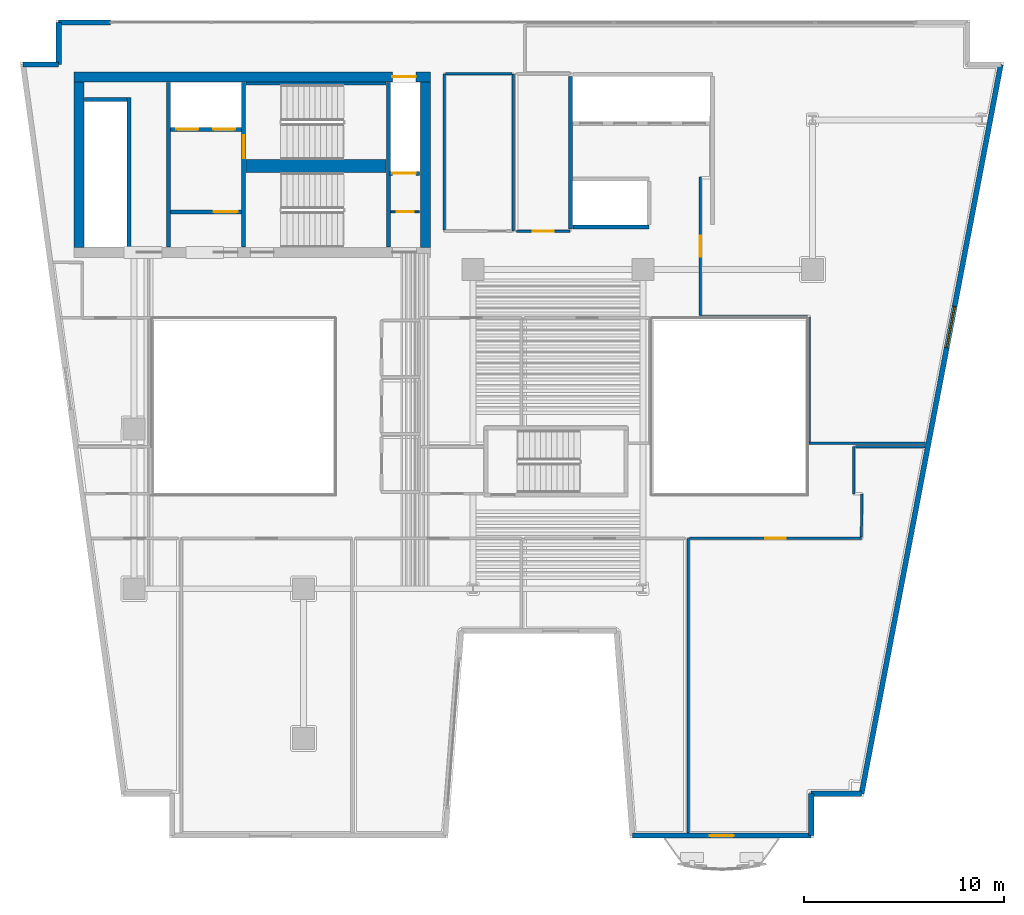
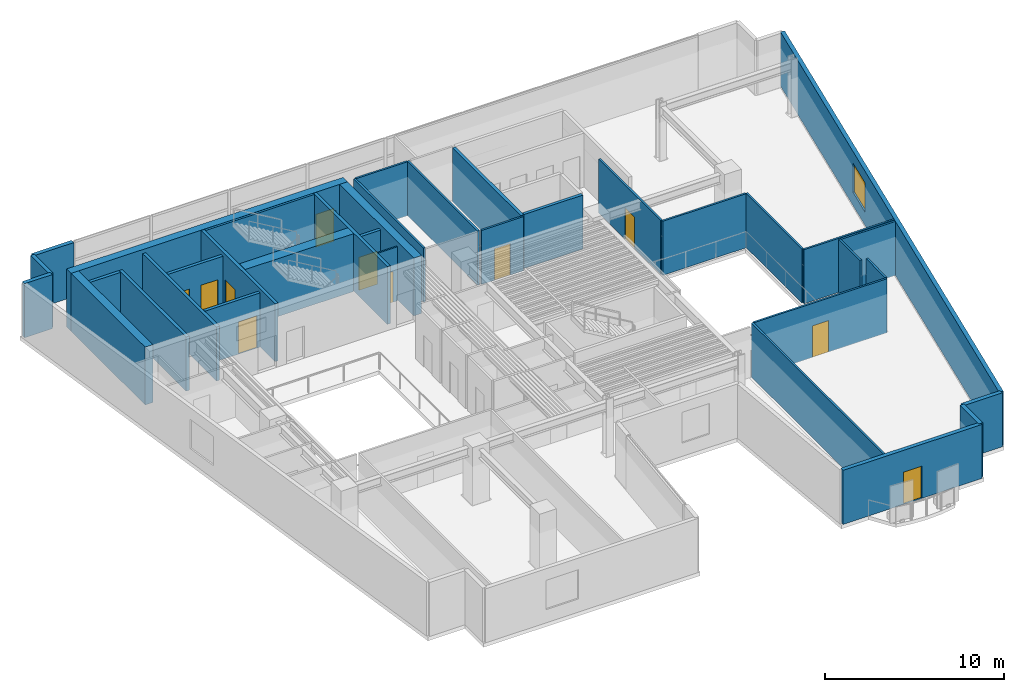
# One storey, part 7 of 12: 36 walls, 11 doors, 1 window, 12 openings.
"""IFC4 building model written with IfcOpenShell, lengths in metres."""

from ifc_helpers import new_model, si_unit, direction, frame, frame_2d, origin, place, context, subcontext, project, spatial, rectangle, extrude, material, layer, layer_set, type_object, element, fill, save


model = new_model("IFC4")

# Units and contexts
model_context = context("Model", 3, precision=1e-05, world=origin(), true_north=direction((0.0, 1.0)))
body_context = subcontext(model_context, "Body", "Model", "MODEL_VIEW")
ifc_project = project(units=[si_unit("LENGTHUNIT", "METRE"), si_unit("AREAUNIT", "SQUARE_METRE"), si_unit("VOLUMEUNIT", "CUBIC_METRE"), si_unit("PLANEANGLEUNIT", "RADIAN"), si_unit("MASSUNIT", "GRAM", prefix="KILO")], contexts=[model_context])

# Site, building, storey
site_placement = place(None, origin())
site = spatial("IfcSite", under=ifc_project, at=site_placement, CompositionType="ELEMENT")
building_placement = place(site_placement, origin())
building = spatial("IfcBuilding", under=site, at=building_placement, Name="Caeloran Harvest Quay", CompositionType="ELEMENT")
storey_placement = place(building_placement, frame((0.0, 0.0, 150.89990234375)))
storey = spatial("IfcBuildingStorey", under=building, at=storey_placement, Name="L35", CompositionType="ELEMENT", Elevation=150.89990234375)

# Walls
ifc_material_1 = material(Name="Precast concrete C50/60", Category="concrete")
ifc_layer_1 = layer(ifc_material_1, 0.260009765625, Name="Precast concrete C50/60")
ifc_layer_set_1 = layer_set([ifc_layer_1], Name="Precast concrete C50/60")
wall_type_1 = type_object("IfcWallType", Name="ENV-WALL-EW-260", PredefinedType="STANDARD", material=ifc_layer_set_1)
wall_1_placement = place(storey_placement, frame((2.939697265625, 41.27001953125, 0.0), z_axis=(0.0, 0.0, 1.0), x_axis=(1.0, 0.0, 0.0)))
element("IfcWall", 1, at=wall_1_placement, inside=storey, type_object=wall_type_1, Name="L35 Exterior Precast Concrete Facade Wall 4", PredefinedType="STANDARD", context=body_context, shape_type="SweptSolid", body=[
    extrude(rectangle(XDim=1.790283203125, YDim=0.260009765625, at=frame_2d((0.89501953125, 0.0))), origin(), (0.0, 0.0, 1.0), 3.690185546875),
])
wall_2_placement = place(storey_placement, frame((4.72998046875, 41.27001953125, 0.0), z_axis=(0.0, 0.0, 1.0), x_axis=(0.0, 1.0, 0.0)))
element("IfcWall", 2, at=wall_2_placement, inside=storey, type_object=wall_type_1, Name="L35 Exterior Precast Concrete Facade Wall 5", PredefinedType="STANDARD", context=body_context, shape_type="SweptSolid", body=[
    extrude(rectangle(XDim=2.10009765625, YDim=0.260009765625, at=frame_2d((1.050048828125, 0.0))), origin(), (0.0, 0.0, 1.0), 3.690185546875),
])
wall_3_placement = place(storey_placement, frame((4.72998046875, 43.3701171875, 0.0), z_axis=(0.0, 0.0, 1.0), x_axis=(1.0, 0.0, 0.0)))
element("IfcWall", 3, at=wall_3_placement, inside=storey, type_object=wall_type_1, Name="L35 Exterior Facade Corner Pier Wall 6A", PredefinedType="STANDARD", context=body_context, shape_type="SweptSolid", body=[
    extrude(rectangle(XDim=2.60009765625, YDim=0.260009765625, at=frame_2d((1.300048828125, 0.0))), origin(), (0.0, 0.0, 1.0), 3.690185546875),
])

# Wall, opening, window
wall_4_placement = place(storey_placement, frame((51.94189453125, 41.27001953125, 0.0), z_axis=(0.0, 0.0, 1.0), x_axis=(-0.187592192405, -0.982247000173, 0.0)))
wall_4 = element("IfcWall", 4, at=wall_4_placement, inside=storey, type_object=wall_type_1, Name="L35 Exterior Precast Concrete Facade Wall 9", PredefinedType="STANDARD", context=body_context, shape_type="SweptSolid", body=[
    extrude(rectangle(XDim=37.200439453125, YDim=0.260009765625, at=frame_2d((18.60009765625, 0.0))), origin(), (0.0, 0.0, 1.0), 3.690185546875),
])
opening_1_placement = place(wall_4_placement, frame((12.342041015625, 0.0, 0.89990234375)))
opening_1 = element("IfcOpeningElement", 5, at=opening_1_placement, cuts=wall_4, Name="Opening W-06", PredefinedType="OPENING", context=body_context, shape_type="SweptSolid", body=[
    extrude(rectangle(XDim=2.10009765625, YDim=2.0, at=frame_2d((1.050048828125, 1.0))), frame((0.0, 0.14013671875, 0.0), z_axis=(0.0, -1.0, 0.0), x_axis=(1.0, 0.0, 0.0)), (0.0, 0.0, 1.0), 0.280029296875),
])
ifc_material_2 = material(Name="Aluminium-Framed Low-E Laminated Glass", Category="aluminium")
window_type = type_object("IfcWindowType", Name="WIN-W-06", PartitioningType="DOUBLE_PANEL_VERTICAL", PredefinedType="WINDOW", material=ifc_material_2)
window_placement = place(opening_1_placement, origin())
window = element("IfcWindow", 6, at=window_placement, inside=storey, type_object=window_type, Name="L35 Facade Punched Window W-06", OverallHeight=2.0, OverallWidth=2.10009765625, PartitioningType="DOUBLE_PANEL_VERTICAL", PredefinedType="WINDOW", context=body_context, shape_type="SweptSolid", body=[
    extrude(rectangle(XDim=2.10009765625, YDim=2.0, at=frame_2d((1.050048828125, 1.0))), frame((0.0, 0.030029296875, 0.0), z_axis=(0.0, -1.0, 0.0), x_axis=(1.0, 0.0, 0.0)), (0.0, 0.0, 1.0), 0.06005859375),
])
fill(opening_1, window)

# Walls
wall_5_placement = place(storey_placement, frame((44.96337890625, 4.72998046875, 0.0), z_axis=(0.0, 0.0, 1.0), x_axis=(-1.0, 0.0, 0.0)))
element("IfcWall", 7, at=wall_5_placement, inside=storey, type_object=wall_type_1, Name="L35 Exterior Precast Concrete Facade Wall 10", PredefinedType="STANDARD", context=body_context, shape_type="SweptSolid", body=[
    extrude(rectangle(XDim=2.5234375, YDim=0.260009765625, at=frame_2d((1.26171875, 0.0))), origin(), (0.0, 0.0, 1.0), 3.690185546875),
])
wall_6_placement = place(storey_placement, frame((42.43994140625, 4.72998046875, 0.0), z_axis=(0.0, 0.0, 1.0), x_axis=(0.0, -1.0, 0.0)))
element("IfcWall", 8, at=wall_6_placement, inside=storey, type_object=wall_type_1, Name="L35 Exterior Precast Concrete Facade Wall 11", PredefinedType="STANDARD", context=body_context, shape_type="SweptSolid", body=[
    extrude(rectangle(XDim=2.10009765625, YDim=0.260009765625, at=frame_2d((1.050048828125, 0.0))), origin(), (0.0, 0.0, 1.0), 3.690185546875),
])

# Wall, opening, door
wall_7_placement = place(storey_placement, frame((42.43994140625, 2.6298828125, 0.0), z_axis=(0.0, 0.0, 1.0), x_axis=(-1.0, 0.0, 0.0)))
wall_7 = element("IfcWall", 9, at=wall_7_placement, inside=storey, type_object=wall_type_1, Name="L35 Exterior Precast Concrete Facade Wall 12", PredefinedType="STANDARD", context=body_context, shape_type="SweptSolid", body=[
    extrude(rectangle(XDim=8.96484375, YDim=0.260009765625, at=frame_2d((4.482421875, 0.0))), origin(), (0.0, 0.0, 1.0), 3.690185546875),
])
opening_2_placement = place(wall_7_placement, frame((3.882080078125, 0.0, 0.0)))
opening_2 = element("IfcOpeningElement", 10, at=opening_2_placement, cuts=wall_7, Name="Opening BD-01", PredefinedType="OPENING", context=body_context, shape_type="SweptSolid", body=[
    extrude(rectangle(XDim=1.199951171875, YDim=2.199951171875, at=frame_2d((0.60009765625, 1.10009765625))), frame((0.0, 0.14013671875, 0.0), z_axis=(0.0, -1.0, 0.0), x_axis=(1.0, 0.0, 0.0)), (0.0, 0.0, 1.0), 0.280029296875),
])
ifc_material_3 = material(Name="Thermally Broken Powder-Coated Aluminium and Safety Glass", Category="aluminium")
door_type_1 = type_object("IfcDoorType", Name="EXTDOOR-BD-01", OperationType="NOTDEFINED", PredefinedType="DOOR", material=ifc_material_3)
door_1_placement = place(opening_2_placement, origin())
door_1 = element("IfcDoor", 11, at=door_1_placement, inside=storey, type_object=door_type_1, Name="L35 Planted Balcony Glazed Access Door", OperationType="SINGLE_SWING_RIGHT", OverallHeight=2.199951171875, OverallWidth=1.199951171875, PredefinedType="DOOR", context=body_context, shape_type="SweptSolid", body=[
    extrude(rectangle(XDim=1.199951171875, YDim=2.199951171875, at=frame_2d((0.60009765625, 1.10009765625))), frame((0.0, 0.02490234375, 0.0), z_axis=(0.0, -1.0, 0.0), x_axis=(1.0, 0.0, 0.0)), (0.0, 0.0, 1.0), 0.050048828125),
])
fill(opening_2, door_1)

ifc_material_4 = material(Name="Fire-Resisting Gypsum Core Riser Partition", Category="gypsum")
ifc_layer_2 = layer(ifc_material_4, 0.10009765625, Name="Fire-Resisting Gypsum Core Riser Partition")
ifc_layer_set_2 = layer_set([ifc_layer_2], Name="Fire-Resisting Gypsum Core Riser Partition")
wall_type_2 = type_object("IfcWallType", Name="INT-WALL-PW-100", PredefinedType="PARTITIONING", material=ifc_layer_set_2)
wall_8_placement = place(storey_placement, frame((21.3798828125, 33.889892578125, 0.0), z_axis=(0.0, 0.0, 1.0), x_axis=(1.0, 0.0, 0.0)))
wall_8 = element("IfcWall", 12, at=wall_8_placement, inside=storey, type_object=wall_type_2, Name="L35 Cleaner Store Partition Wall", PredefinedType="PARTITIONING", context=body_context, shape_type="SweptSolid", body=[
    extrude(rectangle(XDim=1.420166015625, YDim=0.10009765625, at=frame_2d((0.7099609375, 0.0))), origin(), (0.0, 0.0, 1.0), 3.690185546875),
])
opening_3_placement = place(wall_8_placement, frame((0.280029296875, 0.0, 0.0)))
opening_3 = element("IfcOpeningElement", 13, at=opening_3_placement, cuts=wall_8, Name="Opening SV-01", PredefinedType="OPENING", context=body_context, shape_type="SweptSolid", body=[
    extrude(rectangle(XDim=0.85009765625, YDim=2.10009765625, at=frame_2d((0.425048828125, 1.050048828125))), frame((0.0, 0.06005859375, 0.0), z_axis=(0.0, -1.0, 0.0), x_axis=(1.0, 0.0, 0.0)), (0.0, 0.0, 1.0), 0.1201171875),
])
ifc_material_5 = material(Name="Galvanized Painted Steel", Category="steel")
door_type_2 = type_object("IfcDoorType", Name="INTDOOR-SV-01", OperationType="NOTDEFINED", PredefinedType="DOOR", material=ifc_material_5)
door_2_placement = place(opening_3_placement, origin())
door_2 = element("IfcDoor", 14, at=door_2_placement, inside=storey, type_object=door_type_2, Name="L35 Cleaner Supply Store Access Door", OperationType="SINGLE_SWING_RIGHT", OverallHeight=2.10009765625, OverallWidth=0.85009765625, PredefinedType="DOOR", context=body_context, shape_type="SweptSolid", body=[
    extrude(rectangle(XDim=0.85009765625, YDim=2.10009765625, at=frame_2d((0.425048828125, 1.050048828125))), frame((0.0, 0.02490234375, 0.0), z_axis=(0.0, -1.0, 0.0), x_axis=(1.0, 0.0, 0.0)), (0.0, 0.0, 1.0), 0.050048828125),
])
fill(opening_3, door_2)

# Walls
ifc_material_6 = material(Name="Twin-Stud Mineral-Wool Acoustic Gypsum Partition", Category="gypsum")
ifc_layer_3 = layer(ifc_material_6, 0.125, Name="Twin-Stud Mineral-Wool Acoustic Gypsum Partition")
ifc_layer_set_3 = layer_set([ifc_layer_3], Name="Twin-Stud Mineral-Wool Acoustic Gypsum Partition")
wall_type_3 = type_object("IfcWallType", Name="INT-WALL-PW-125", PredefinedType="PARTITIONING", material=ifc_layer_set_3)
wall_9_placement = place(storey_placement, frame((27.5, 40.800048828125, 0.0), z_axis=(0.0, 0.0, 1.0), x_axis=(0.0, -1.0, 0.0)))
element("IfcWall", 15, at=wall_9_placement, inside=storey, type_object=wall_type_3, Name="L35 Bioinformatics Briefing Lounge Partition Wall", PredefinedType="PARTITIONING", context=body_context, shape_type="SweptSolid", body=[
    extrude(rectangle(XDim=7.880126953125, YDim=0.125, at=frame_2d((3.93994140625, 0.0))), origin(), (0.0, 0.0, 1.0), 3.690185546875),
])
wall_10_placement = place(storey_placement, frame((24.050048828125, 32.987548828125, 0.0), z_axis=(0.0, 0.0, 1.0), x_axis=(0.0, 1.0, 0.0)))
element("IfcWall", 16, at=wall_10_placement, inside=storey, type_object=wall_type_3, Name="L35 Bioinformatics Briefing Lounge Partition Wall", PredefinedType="PARTITIONING", context=body_context, shape_type="SweptSolid", body=[
    extrude(rectangle(XDim=7.8125, YDim=0.125, at=frame_2d((3.90625, 0.0))), origin(), (0.0, 0.0, 1.0), 3.690185546875),
])
wall_11_placement = place(storey_placement, frame((24.117431640625, 40.800048828125, 0.0), z_axis=(0.0, 0.0, 1.0), x_axis=(1.0, 0.0, 0.0)))
element("IfcWall", 17, at=wall_11_placement, inside=storey, type_object=wall_type_3, Name="L35 Bioinformatics Briefing Lounge Partition Wall", PredefinedType="PARTITIONING", context=body_context, shape_type="SweptSolid", body=[
    extrude(rectangle(XDim=3.315185546875, YDim=0.125, at=frame_2d((1.65771484375, 0.0))), origin(), (0.0, 0.0, 1.0), 3.690185546875),
])

# Wall, opening, door
wall_12_placement = place(storey_placement, frame((30.35009765625, 32.919921875, 0.0), z_axis=(0.0, 0.0, 1.0), x_axis=(-1.0, 0.0, 0.0)))
wall_12 = element("IfcWall", 18, at=wall_12_placement, inside=storey, type_object=wall_type_3, Name="L35 Seed Imaging Laboratory Partition Wall", PredefinedType="PARTITIONING", context=body_context, shape_type="SweptSolid", body=[
    extrude(rectangle(XDim=2.690185546875, YDim=0.125, at=frame_2d((1.34521484375, 0.0))), origin(), (0.0, 0.0, 1.0), 3.690185546875),
])
opening_4_placement = place(wall_12_placement, frame((0.820068359375, 0.0, 0.0)))
opening_4 = element("IfcOpeningElement", 19, at=opening_4_placement, cuts=wall_12, Name="Opening ID-03", PredefinedType="OPENING", context=body_context, shape_type="SweptSolid", body=[
    extrude(rectangle(XDim=1.050048828125, YDim=2.14990234375, at=frame_2d((0.52490234375, 1.074951171875))), frame((0.0, 0.072509765625, 0.0), z_axis=(0.0, -1.0, 0.0), x_axis=(1.0, 0.0, 0.0)), (0.0, 0.0, 1.0), 0.14501953125),
])
ifc_material_7 = material(Name="FSC Solid-Core Oak Timber Leaf", Category="wood")
door_type_3 = type_object("IfcDoorType", Name="INTDOOR-ID-03", OperationType="NOTDEFINED", PredefinedType="DOOR", material=ifc_material_7)
door_3_placement = place(opening_4_placement, origin())
door_3 = element("IfcDoor", 20, at=door_3_placement, inside=storey, type_object=door_type_3, Name="L35 Seed Imaging Laboratory Access Door", OperationType="SINGLE_SWING_LEFT", OverallHeight=2.14990234375, OverallWidth=1.050048828125, PredefinedType="DOOR", context=body_context, shape_type="SweptSolid", body=[
    extrude(rectangle(XDim=1.050048828125, YDim=2.14990234375, at=frame_2d((0.52490234375, 1.074951171875))), frame((0.0, 0.02490234375, 0.0), z_axis=(0.0, -1.0, 0.0), x_axis=(1.0, 0.0, 0.0)), (0.0, 0.0, 1.0), 0.050048828125),
])
fill(opening_4, door_3)

# Walls
wall_13_placement = place(storey_placement, frame((44.580078125, 19.75, 0.0), z_axis=(0.0, 0.0, 1.0), x_axis=(0.0, 1.0, 0.0)))
element("IfcWall", 21, at=wall_13_placement, inside=storey, type_object=wall_type_3, Name="Seed IP Legal Counsel Office Partition Wall", PredefinedType="PARTITIONING", context=body_context, shape_type="SweptSolid", body=[
    extrude(rectangle(XDim=2.3701171875, YDim=0.125, at=frame_2d((1.18505859375, 0.0))), origin(), (0.0, 0.0, 1.0), 3.690185546875),
])
wall_14_placement = place(storey_placement, frame((44.6474609375, 22.1201171875, 0.0), z_axis=(0.0, 0.0, 1.0), x_axis=(1.0, 0.0, 0.0)))
element("IfcWall", 22, at=wall_14_placement, inside=storey, type_object=wall_type_3, Name="Seed IP Legal Counsel Office Partition Wall", PredefinedType="PARTITIONING", context=body_context, shape_type="SweptSolid", body=[
    extrude(rectangle(XDim=3.499755859375, YDim=0.125, at=frame_2d((1.75, 0.0))), origin(), (0.0, 0.0, 1.0), 3.690185546875),
])
wall_15_placement = place(storey_placement, frame((36.280029296875, 2.764892578125, 0.0), z_axis=(0.0, 0.0, 1.0), x_axis=(0.0, 1.0, 0.0)))
element("IfcWall", 23, at=wall_15_placement, inside=storey, type_object=wall_type_3, Name="Seed IP Legal Counsel Office Partition Wall", PredefinedType="PARTITIONING", context=body_context, shape_type="SweptSolid", body=[
    extrude(rectangle(XDim=14.755126953125, YDim=0.125, at=frame_2d((7.37744140625, 0.0))), origin(), (0.0, 0.0, 1.0), 3.690185546875),
])

# Wall, opening, door
wall_16_placement = place(storey_placement, frame((36.347412109375, 17.52001953125, 0.0), z_axis=(0.0, 0.0, 1.0), x_axis=(1.0, 0.0, 0.0)))
wall_16 = element("IfcWall", 24, at=wall_16_placement, inside=storey, type_object=wall_type_3, Name="Seed IP Legal Counsel Office Partition Wall", PredefinedType="PARTITIONING", context=body_context, shape_type="SweptSolid", body=[
    extrude(rectangle(XDim=8.6025390625, YDim=0.125, at=frame_2d((4.30126953125, 0.0))), origin(), (0.0, 0.0, 1.0), 3.690185546875),
])
opening_5_placement = place(wall_16_placement, frame((3.7763671875, 0.0, 0.0)))
opening_5 = element("IfcOpeningElement", 25, at=opening_5_placement, cuts=wall_16, Name="Opening ID-03", PredefinedType="OPENING", context=body_context, shape_type="SweptSolid", body=[
    extrude(rectangle(XDim=1.050048828125, YDim=2.14990234375, at=frame_2d((0.52490234375, 1.074951171875))), frame((0.0, 0.072509765625, 0.0), z_axis=(0.0, -1.0, 0.0), x_axis=(1.0, 0.0, 0.0)), (0.0, 0.0, 1.0), 0.14501953125),
])
door_4_placement = place(opening_5_placement, origin())
door_4 = element("IfcDoor", 26, at=door_4_placement, inside=storey, type_object=door_type_3, Name="Seed IP Legal Counsel Office Access Door", OperationType="SINGLE_SWING_LEFT", OverallHeight=2.14990234375, OverallWidth=1.050048828125, PredefinedType="DOOR", context=body_context, shape_type="SweptSolid", body=[
    extrude(rectangle(XDim=1.050048828125, YDim=2.14990234375, at=frame_2d((0.52490234375, 1.074951171875))), frame((0.0, 0.02490234375, 0.0), z_axis=(0.0, -1.0, 0.0), x_axis=(1.0, 0.0, 0.0)), (0.0, 0.0, 1.0), 0.050048828125),
])
fill(opening_5, door_4)

# Walls
wall_17_placement = place(storey_placement, frame((44.950927734375, 17.58740234375, 0.0), z_axis=(0.0, 0.0, 1.0), x_axis=(0.01343297167, 0.999909773566, 0.0)))
element("IfcWall", 27, at=wall_17_placement, inside=storey, type_object=wall_type_3, Name="Seed IP Legal Counsel Office Partition Wall", PredefinedType="PARTITIONING", context=body_context, shape_type="SweptSolid", body=[
    extrude(rectangle(XDim=2.162841796875, YDim=0.125, at=frame_2d((1.08154296875, 0.0))), origin(), (0.0, 0.0, 1.0), 3.690185546875),
])
wall_18_placement = place(storey_placement, frame((48.177734375, 22.280029296875, 0.0), z_axis=(0.0, 0.0, 1.0), x_axis=(-1.0, 0.0, 0.0)))
element("IfcWall", 28, at=wall_18_placement, inside=storey, type_object=wall_type_3, Name="Seed IP Legal Counsel Office 11 Partition Wall", PredefinedType="PARTITIONING", context=body_context, shape_type="SweptSolid", body=[
    extrude(rectangle(XDim=5.84765625, YDim=0.125, at=frame_2d((2.923828125, 0.0))), origin(), (0.0, 0.0, 1.0), 3.690185546875),
])
wall_19_placement = place(storey_placement, frame((42.330078125, 22.347412109375, 0.0), z_axis=(0.0, 0.0, 1.0), x_axis=(0.0, 1.0, 0.0)))
element("IfcWall", 29, at=wall_19_placement, inside=storey, type_object=wall_type_3, Name="Seed IP Legal Counsel Office 11 Partition Wall", PredefinedType="PARTITIONING", context=body_context, shape_type="SweptSolid", body=[
    extrude(rectangle(XDim=6.282470703125, YDim=0.125, at=frame_2d((3.14111328125, 0.0))), origin(), (0.0, 0.0, 1.0), 3.690185546875),
])
wall_20_placement = place(storey_placement, frame((42.262451171875, 28.6298828125, 0.0), z_axis=(0.0, 0.0, 1.0), x_axis=(-1.0, 0.0, 0.0)))
element("IfcWall", 30, at=wall_20_placement, inside=storey, type_object=wall_type_3, Name="Seed IP Legal Counsel Office 11 Partition Wall", PredefinedType="PARTITIONING", context=body_context, shape_type="SweptSolid", body=[
    extrude(rectangle(XDim=5.382568359375, YDim=0.125, at=frame_2d((2.69140625, 0.0))), origin(), (0.0, 0.0, 1.0), 3.690185546875),
])

# Wall, opening, door
wall_21_placement = place(storey_placement, frame((36.8798828125, 28.697509765625, 0.0), z_axis=(0.0, 0.0, 1.0), x_axis=(0.0, 1.0, 0.0)))
wall_21 = element("IfcWall", 31, at=wall_21_placement, inside=storey, type_object=wall_type_3, Name="Seed IP Legal Counsel Office 11 Partition Wall", PredefinedType="PARTITIONING", context=body_context, shape_type="SweptSolid", body=[
    extrude(rectangle(XDim=6.922607421875, YDim=0.125, at=frame_2d((3.46142578125, 0.0))), origin(), (0.0, 0.0, 1.0), 3.690185546875),
])
opening_6_placement = place(wall_21_placement, frame((2.936279296875, 0.0, 0.0)))
opening_6 = element("IfcOpeningElement", 32, at=opening_6_placement, cuts=wall_21, Name="Opening ID-03", PredefinedType="OPENING", context=body_context, shape_type="SweptSolid", body=[
    extrude(rectangle(XDim=1.050048828125, YDim=2.14990234375, at=frame_2d((0.52490234375, 1.074951171875))), frame((0.0, 0.072509765625, 0.0), z_axis=(0.0, -1.0, 0.0), x_axis=(1.0, 0.0, 0.0)), (0.0, 0.0, 1.0), 0.14501953125),
])
door_5_placement = place(opening_6_placement, origin())
door_5 = element("IfcDoor", 33, at=door_5_placement, inside=storey, type_object=door_type_3, Name="Seed IP Legal Counsel Office 11 Access Door", OperationType="SINGLE_SWING_LEFT", OverallHeight=2.14990234375, OverallWidth=1.050048828125, PredefinedType="DOOR", context=body_context, shape_type="SweptSolid", body=[
    extrude(rectangle(XDim=1.050048828125, YDim=2.14990234375, at=frame_2d((0.52490234375, 1.074951171875))), frame((0.0, 0.02490234375, 0.0), z_axis=(0.0, -1.0, 0.0), x_axis=(1.0, 0.0, 0.0)), (0.0, 0.0, 1.0), 0.050048828125),
])
fill(opening_6, door_5)

# Walls
ifc_material_8 = material(Name="Concrete C50/60", Category="concrete")
ifc_layer_4 = layer(ifc_material_8, 0.199951171875, Name="Concrete C50/60")
ifc_layer_set_4 = layer_set([ifc_layer_4], Name="Concrete C50/60")
wall_type_4 = type_object("IfcWallType", Name="INT-WALL-SW-200", PredefinedType="PARTITIONING", material=ifc_layer_set_4)
wall_22_placement = place(storey_placement, frame((8.260009765625, 32.1201171875, 0.0), z_axis=(0.0, 0.0, 1.0), x_axis=(0.0, 1.0, 0.0)))
element("IfcWall", 34, at=wall_22_placement, inside=storey, type_object=wall_type_4, Name="L35 Bank 3 Lift Shaft Wall", PredefinedType="PARTITIONING", context=body_context, shape_type="SweptSolid", body=[
    extrude(rectangle(XDim=7.5, YDim=0.199951171875, at=frame_2d((3.75, 0.0))), origin(), (0.0, 0.0, 1.0), 3.690185546875),
])
wall_23_placement = place(storey_placement, frame((6.02001953125, 39.52001953125, 0.0), z_axis=(0.0, 0.0, 1.0), x_axis=(1.0, 0.0, 0.0)))
element("IfcWall", 35, at=wall_23_placement, inside=storey, type_object=wall_type_4, Name="L35 Bank 3 Lift Shaft North End Wall", PredefinedType="PARTITIONING", context=body_context, shape_type="SweptSolid", body=[
    extrude(rectangle(XDim=2.119873046875, YDim=0.199951171875, at=frame_2d((1.06005859375, 0.0))), origin(), (0.0, 0.0, 1.0), 3.690185546875),
])
wall_24_placement = place(storey_placement, frame((10.219970703125, 32.1201171875, 0.0), z_axis=(0.0, 0.0, 1.0), x_axis=(0.0, 1.0, 0.0)))
element("IfcWall", 36, at=wall_24_placement, inside=storey, type_object=wall_type_4, Name="L35 Core Lobby Compartment Wall", PredefinedType="PARTITIONING", context=body_context, shape_type="SweptSolid", body=[
    extrude(rectangle(XDim=8.259765625, YDim=0.199951171875, at=frame_2d((4.1298828125, 0.0))), origin(), (0.0, 0.0, 1.0), 3.690185546875),
])

# Wall, openings, doors
wall_25_placement = place(storey_placement, frame((10.340087890625, 38.02001953125, 0.0), z_axis=(0.0, 0.0, 1.0), x_axis=(1.0, 0.0, 0.0)))
wall_25 = element("IfcWall", 37, at=wall_25_placement, inside=storey, type_object=wall_type_4, Name="L35 Firefighting Lift Shaft Wall", PredefinedType="PARTITIONING", context=body_context, shape_type="SweptSolid", body=[
    extrude(rectangle(XDim=3.539794921875, YDim=0.199951171875, at=frame_2d((1.77001953125, 0.0))), origin(), (0.0, 0.0, 1.0), 3.690185546875),
])
opening_7_placement = place(wall_25_placement, frame((0.284912109375, 0.0, 0.0)))
opening_7 = element("IfcOpeningElement", 38, at=opening_7_placement, cuts=wall_25, Name="Opening LD-01", PredefinedType="OPENING", context=body_context, shape_type="SweptSolid", body=[
    extrude(rectangle(XDim=1.10009765625, YDim=2.199951171875, at=frame_2d((0.550048828125, 1.10009765625))), frame((0.0, 0.10986328125, 0.0), z_axis=(0.0, -1.0, 0.0), x_axis=(1.0, 0.0, 0.0)), (0.0, 0.0, 1.0), 0.219970703125),
])
opening_8_placement = place(wall_25_placement, frame((2.135009765625, 0.0, 0.0)))
opening_8 = element("IfcOpeningElement", 39, at=opening_8_placement, cuts=wall_25, Name="Opening LD-01", PredefinedType="OPENING", context=body_context, shape_type="SweptSolid", body=[
    extrude(rectangle(XDim=1.10009765625, YDim=2.199951171875, at=frame_2d((0.550048828125, 1.10009765625))), frame((0.0, 0.10986328125, 0.0), z_axis=(0.0, -1.0, 0.0), x_axis=(1.0, 0.0, 0.0)), (0.0, 0.0, 1.0), 0.219970703125),
])
ifc_material_9 = material(Name="Stainless Steel Grade 316", Category="steel")
door_type_4 = type_object("IfcDoorType", Name="INTDOOR-LD-01", OperationType="NOTDEFINED", PredefinedType="DOOR", material=ifc_material_9)
door_6_placement = place(opening_7_placement, origin())
door_6 = element("IfcDoor", 40, at=door_6_placement, inside=storey, type_object=door_type_4, Name="Lift FF-1 Sliding Landing Door (L35)", OperationType="DOUBLE_DOOR_SLIDING", OverallHeight=2.199951171875, OverallWidth=1.10009765625, PredefinedType="DOOR", context=body_context, shape_type="SweptSolid", body=[
    extrude(rectangle(XDim=1.10009765625, YDim=2.199951171875, at=frame_2d((0.550048828125, 1.10009765625))), frame((0.0, 0.02490234375, 0.0), z_axis=(0.0, -1.0, 0.0), x_axis=(1.0, 0.0, 0.0)), (0.0, 0.0, 1.0), 0.050048828125),
])
fill(opening_7, door_6)
door_7_placement = place(opening_8_placement, origin())
door_7 = element("IfcDoor", 41, at=door_7_placement, inside=storey, type_object=door_type_4, Name="Lift FF-2 Sliding Landing Door (L35)", OperationType="DOUBLE_DOOR_SLIDING", OverallHeight=2.199951171875, OverallWidth=1.10009765625, PredefinedType="DOOR", context=body_context, shape_type="SweptSolid", body=[
    extrude(rectangle(XDim=1.10009765625, YDim=2.199951171875, at=frame_2d((0.550048828125, 1.10009765625))), frame((0.0, 0.02490234375, 0.0), z_axis=(0.0, -1.0, 0.0), x_axis=(1.0, 0.0, 0.0)), (0.0, 0.0, 1.0), 0.050048828125),
])
fill(opening_8, door_7)

# Wall, opening, door
wall_26_placement = place(storey_placement, frame((10.340087890625, 33.8798828125, 0.0), z_axis=(0.0, 0.0, 1.0), x_axis=(1.0, 0.0, 0.0)))
wall_26 = element("IfcWall", 42, at=wall_26_placement, inside=storey, type_object=wall_type_4, Name="L35 Firefighting Lift Lobby Enclosure Wall", PredefinedType="PARTITIONING", context=body_context, shape_type="SweptSolid", body=[
    extrude(rectangle(XDim=3.559814453125, YDim=0.199951171875, at=frame_2d((1.77978515625, 0.0))), origin(), (0.0, 0.0, 1.0), 3.690185546875),
])
opening_9_placement = place(wall_26_placement, frame((2.14990234375, 0.0, 0.0)))
opening_9 = element("IfcOpeningElement", 43, at=opening_9_placement, cuts=wall_26, Name="Opening FD-01", PredefinedType="OPENING", context=body_context, shape_type="SweptSolid", body=[
    extrude(rectangle(XDim=1.199951171875, YDim=2.199951171875, at=frame_2d((0.60009765625, 1.10009765625))), frame((0.0, 0.10986328125, 0.0), z_axis=(0.0, -1.0, 0.0), x_axis=(1.0, 0.0, 0.0)), (0.0, 0.0, 1.0), 0.219970703125),
])
ifc_material_10 = material(Name="Steel", Category="steel")
door_type_5 = type_object("IfcDoorType", Name="INTDOOR-FD-01", OperationType="NOTDEFINED", PredefinedType="DOOR", material=ifc_material_10)
door_8_placement = place(opening_9_placement, origin())
door_8 = element("IfcDoor", 44, at=door_8_placement, inside=storey, type_object=door_type_5, Name="L35 Firefighting Lift Lobby Smoke-Seal Fire Door", OperationType="SINGLE_SWING_LEFT", OverallHeight=2.199951171875, OverallWidth=1.199951171875, PredefinedType="DOOR", context=body_context, shape_type="SweptSolid", body=[
    extrude(rectangle(XDim=1.199951171875, YDim=2.199951171875, at=frame_2d((0.60009765625, 1.10009765625))), frame((0.0, 0.02490234375, 0.0), z_axis=(0.0, -1.0, 0.0), x_axis=(1.0, 0.0, 0.0)), (0.0, 0.0, 1.0), 0.050048828125),
])
fill(opening_9, door_8)

wall_27_placement = place(storey_placement, frame((21.300048828125, 35.820068359375, 0.0), z_axis=(0.0, 0.0, 1.0), x_axis=(1.0, 0.0, 0.0)))
wall_27 = element("IfcWall", 45, at=wall_27_placement, inside=storey, type_object=wall_type_4, Name="L35 Service Lift SV-2 Shaft Wall", PredefinedType="PARTITIONING", context=body_context, shape_type="SweptSolid", body=[
    extrude(rectangle(XDim=1.5, YDim=0.199951171875, at=frame_2d((0.75, 0.0))), origin(), (0.0, 0.0, 1.0), 3.690185546875),
])
opening_10_placement = place(wall_27_placement, frame((0.14501953125, 0.0, 0.0)))
opening_10 = element("IfcOpeningElement", 46, at=opening_10_placement, cuts=wall_27, Name="Opening LD-02", PredefinedType="OPENING", context=body_context, shape_type="SweptSolid", body=[
    extrude(rectangle(XDim=1.179931640625, YDim=2.25, at=frame_2d((0.58984375, 1.125))), frame((0.0, 0.10986328125, 0.0), z_axis=(0.0, -1.0, 0.0), x_axis=(1.0, 0.0, 0.0)), (0.0, 0.0, 1.0), 0.219970703125),
])
door_type_6 = type_object("IfcDoorType", Name="INTDOOR-LD-02", OperationType="NOTDEFINED", PredefinedType="DOOR", material=ifc_material_9)
door_9_placement = place(opening_10_placement, origin())
door_9 = element("IfcDoor", 47, at=door_9_placement, inside=storey, type_object=door_type_6, Name="Lift SV-2 Sliding Landing Door (L35)", OperationType="DOUBLE_DOOR_SLIDING", OverallHeight=2.25, OverallWidth=1.179931640625, PredefinedType="DOOR", context=body_context, shape_type="SweptSolid", body=[
    extrude(rectangle(XDim=1.179931640625, YDim=2.25, at=frame_2d((0.58984375, 1.125))), frame((0.0, 0.02490234375, 0.0), z_axis=(0.0, -1.0, 0.0), x_axis=(1.0, 0.0, 0.0)), (0.0, 0.0, 1.0), 0.050048828125),
])
fill(opening_10, door_9)

# Walls
wall_28_placement = place(storey_placement, frame((30.3798828125, 33.02001953125, 0.0), z_axis=(0.0, 0.0, 1.0), x_axis=(0.0, 1.0, 0.0)))
element("IfcWall", 48, at=wall_28_placement, inside=storey, type_object=wall_type_4, Name="L35 Bank 2 and Shuttle Lift Shaft West Wall", PredefinedType="PARTITIONING", context=body_context, shape_type="SweptSolid", body=[
    extrude(rectangle(XDim=7.639892578125, YDim=0.199951171875, at=frame_2d((3.81982421875, 0.0))), origin(), (0.0, 0.0, 1.0), 3.690185546875),
])
wall_29_placement = place(storey_placement, frame((30.5, 33.1201171875, 0.0), z_axis=(0.0, 0.0, 1.0), x_axis=(1.0, 0.0, 0.0)))
element("IfcWall", 49, at=wall_29_placement, inside=storey, type_object=wall_type_4, Name="L35 Shuttle Lift Shaft South Wall", PredefinedType="PARTITIONING", context=body_context, shape_type="SweptSolid", body=[
    extrude(rectangle(XDim=3.800048828125, YDim=0.199951171875, at=frame_2d((1.89990234375, 0.0))), origin(), (0.0, 0.0, 1.0), 3.690185546875),
])

# Wall, opening, door
ifc_material_11 = material(Name="Concrete C70/85", Category="concrete")
ifc_layer_5 = layer(ifc_material_11, 0.5, Name="Concrete C70/85")
ifc_layer_set_5 = layer_set([ifc_layer_5], Name="Concrete C70/85")
wall_type_5 = type_object("IfcWallType", Name="STR-WALL-CW-500", PredefinedType="SHEAR", material=ifc_layer_set_5)
wall_30_placement = place(storey_placement, frame((5.5, 40.64990234375, 0.0), z_axis=(0.0, 0.0, 1.0), x_axis=(1.0, 0.0, 0.0)))
wall_30 = element("IfcWall", 50, at=wall_30_placement, inside=storey, type_object=wall_type_5, Name="L35 Rear Core Shear Wall N", PredefinedType="SHEAR", context=body_context, shape_type="SweptSolid", body=[
    extrude(rectangle(XDim=17.85009765625, YDim=0.5, at=frame_2d((8.925048828125, 0.0))), origin(), (0.0, 0.0, 1.0), 3.9501953125),
])
opening_11_placement = place(wall_30_placement, frame((15.945068359375, 0.0, 0.0)))
opening_11 = element("IfcOpeningElement", 51, at=opening_11_placement, cuts=wall_30, Name="Opening LD-02", PredefinedType="OPENING", context=body_context, shape_type="SweptSolid", body=[
    extrude(rectangle(XDim=1.179931640625, YDim=2.25, at=frame_2d((0.58984375, 1.125))), frame((0.0, 0.260009765625, 0.0), z_axis=(0.0, -1.0, 0.0), x_axis=(1.0, 0.0, 0.0)), (0.0, 0.0, 1.0), 0.52001953125),
])
door_10_placement = place(opening_11_placement, origin())
door_10 = element("IfcDoor", 52, at=door_10_placement, inside=storey, type_object=door_type_6, Name="Lift SV-1 Sliding Landing Door (L35)", OperationType="DOUBLE_DOOR_SLIDING", OverallHeight=2.25, OverallWidth=1.179931640625, PredefinedType="DOOR", context=body_context, shape_type="SweptSolid", body=[
    extrude(rectangle(XDim=1.179931640625, YDim=2.25, at=frame_2d((0.58984375, 1.125))), frame((0.0, 0.02490234375, 0.0), z_axis=(0.0, -1.0, 0.0), x_axis=(1.0, 0.0, 0.0)), (0.0, 0.0, 1.0), 0.050048828125),
])
fill(opening_11, door_10)

# Walls
for number, where, z_axis, x_axis, name in (
    (53, (5.75, 32.10009765625, 0.0), (0.0, 0.0, 1.0), (0.0, 1.0, 0.0), "L35 Rear Core Shear Wall W"),
    (54, (23.10009765625, 32.10009765625, 0.0), (0.0, 0.0, 1.0), (0.0, 1.0, 0.0), "L35 Rear Core Shear Wall E"),
):
    element("IfcWall", number, at=place(storey_placement, frame(where, z_axis=z_axis, x_axis=x_axis)), inside=storey, type_object=wall_type_5, Name=name, PredefinedType="SHEAR", context=body_context, shape_type="SweptSolid", body=[
        extrude(rectangle(XDim=8.2998046875, YDim=0.5, at=frame_2d((4.14990234375, 0.0))), origin(), (0.0, 0.0, 1.0), 3.9501953125),
    ])
ifc_material_12 = material(Name="Concrete C60/75", Category="concrete")
ifc_layer_6 = layer(ifc_material_12, 0.64990234375, Name="Concrete C60/75")
ifc_layer_set_6 = layer_set([ifc_layer_6], Name="Concrete C60/75")
wall_type_6 = type_object("IfcWallType", Name="STR-WALL-CW-650", PredefinedType="SHEAR", material=ifc_layer_set_6)
wall_31_placement = place(storey_placement, frame((14.1201171875, 36.175048828125, 0.0), z_axis=(0.0, 0.0, 1.0), x_axis=(1.0, 0.0, 0.0)))
element("IfcWall", 55, at=wall_31_placement, inside=storey, type_object=wall_type_6, Name="L35 Core Stairs Dividing Shear Wall", PredefinedType="SHEAR", context=body_context, shape_type="SweptSolid", body=[
    extrude(rectangle(XDim=7.009765625, YDim=0.64990234375, at=frame_2d((3.5048828125, 0.0))), origin(), (0.0, 0.0, 1.0), 3.9501953125),
])
ifc_layer_7 = layer(ifc_material_12, 0.139892578125, Name="Concrete C60/75")
ifc_layer_set_7 = layer_set([ifc_layer_7], Name="Concrete C60/75")
wall_type_7 = type_object("IfcWallType", Name="STR-WALL-SW-140", PredefinedType="SHEAR", material=ifc_layer_set_7)
wall_32_placement = place(storey_placement, frame((14.1201171875, 40.320068359375, 0.0), z_axis=(0.0, 0.0, 1.0), x_axis=(1.0, 0.0, 0.0)))
element("IfcWall", 56, at=wall_32_placement, inside=storey, type_object=wall_type_7, Name="L35 Core Stair ST-C1 North Bearing Shear Wall", PredefinedType="SHEAR", context=body_context, shape_type="SweptSolid", body=[
    extrude(rectangle(XDim=7.009765625, YDim=0.139892578125, at=frame_2d((3.5048828125, 0.0))), origin(), (0.0, 0.0, 1.0), 3.9501953125),
])

# Wall, opening, door
ifc_layer_8 = layer(ifc_material_12, 0.199951171875, Name="Concrete C60/75")
ifc_layer_set_8 = layer_set([ifc_layer_8], Name="Concrete C60/75")
wall_type_8 = type_object("IfcWallType", Name="STR-WALL-SW-200", PredefinedType="SHEAR", material=ifc_layer_set_8)
wall_33_placement = place(storey_placement, frame((14.0, 32.1201171875, 0.0), z_axis=(0.0, 0.0, 1.0), x_axis=(0.0, 1.0, 0.0)))
wall_33 = element("IfcWall", 57, at=wall_33_placement, inside=storey, type_object=wall_type_8, Name="L35 Core Stair Shaft West Shear Wall", PredefinedType="SHEAR", context=body_context, shape_type="SweptSolid", body=[
    extrude(rectangle(XDim=8.259765625, YDim=0.199951171875, at=frame_2d((4.1298828125, 0.0))), origin(), (0.0, 0.0, 1.0), 3.9501953125),
])
opening_12_placement = place(wall_33_placement, frame((4.4599609375, 0.0, 0.0)))
opening_12 = element("IfcOpeningElement", 58, at=opening_12_placement, cuts=wall_33, Name="Opening SD-01", PredefinedType="OPENING", context=body_context, shape_type="SweptSolid", body=[
    extrude(rectangle(XDim=1.14990234375, YDim=2.199951171875, at=frame_2d((0.574951171875, 1.10009765625))), frame((0.0, 0.10986328125, 0.0), z_axis=(0.0, -1.0, 0.0), x_axis=(1.0, 0.0, 0.0)), (0.0, 0.0, 1.0), 0.219970703125),
])
door_type_7 = type_object("IfcDoorType", Name="INTDOOR-SD-01", OperationType="NOTDEFINED", PredefinedType="DOOR", material=ifc_material_10)
door_11_placement = place(opening_12_placement, origin())
door_11 = element("IfcDoor", 59, at=door_11_placement, inside=storey, type_object=door_type_7, Name="L35 Protected Stair ST-C1 Exit Door", OperationType="SINGLE_SWING_LEFT", OverallHeight=2.199951171875, OverallWidth=1.14990234375, PredefinedType="DOOR", context=body_context, shape_type="SweptSolid", body=[
    extrude(rectangle(XDim=1.14990234375, YDim=2.199951171875, at=frame_2d((0.574951171875, 1.10009765625))), frame((0.0, 0.02490234375, 0.0), z_axis=(0.0, -1.0, 0.0), x_axis=(1.0, 0.0, 0.0)), (0.0, 0.0, 1.0), 0.050048828125),
])
fill(opening_12, door_11)

# Wall
wall_34_placement = place(storey_placement, frame((21.25, 32.1201171875, 0.0), z_axis=(0.0, 0.0, 1.0), x_axis=(0.0, 1.0, 0.0)))
element("IfcWall", 60, at=wall_34_placement, inside=storey, type_object=wall_type_8, Name="L35 Core Stair Shaft East Shear Wall", PredefinedType="SHEAR", context=body_context, shape_type="SweptSolid", body=[
    extrude(rectangle(XDim=8.259765625, YDim=0.199951171875, at=frame_2d((4.1298828125, 0.0))), origin(), (0.0, 0.0, 1.0), 3.9501953125),
])

save(model, "model.ifc")
